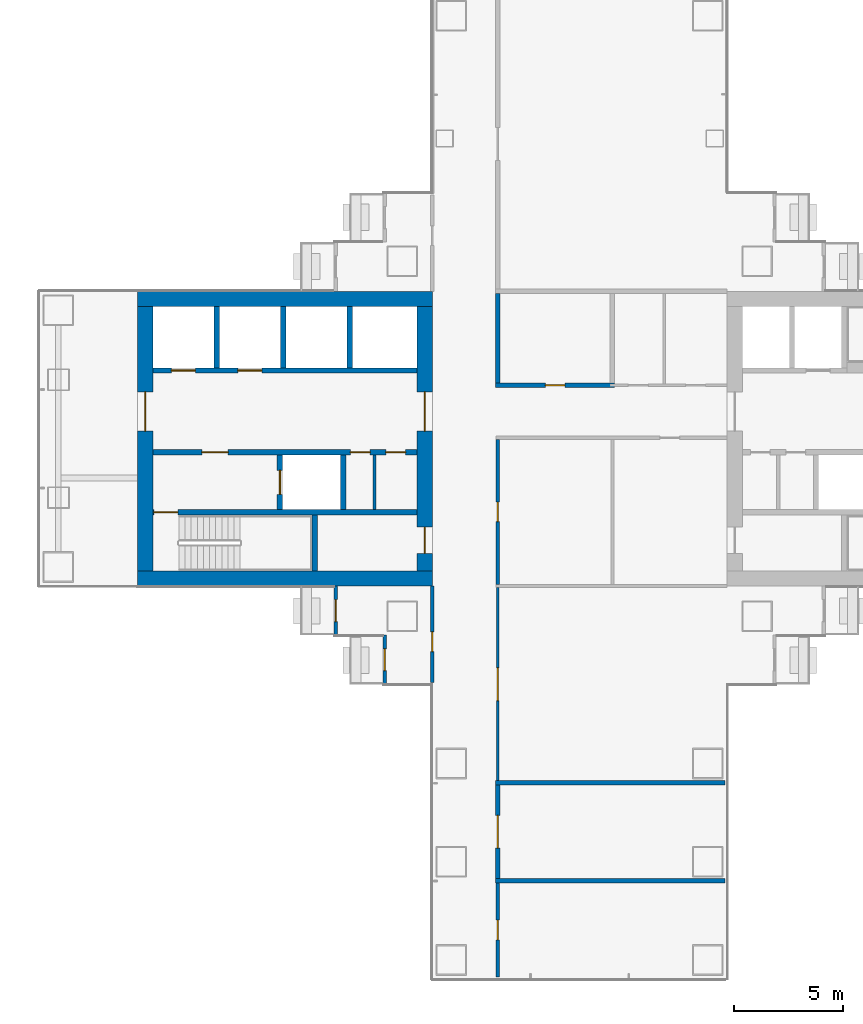
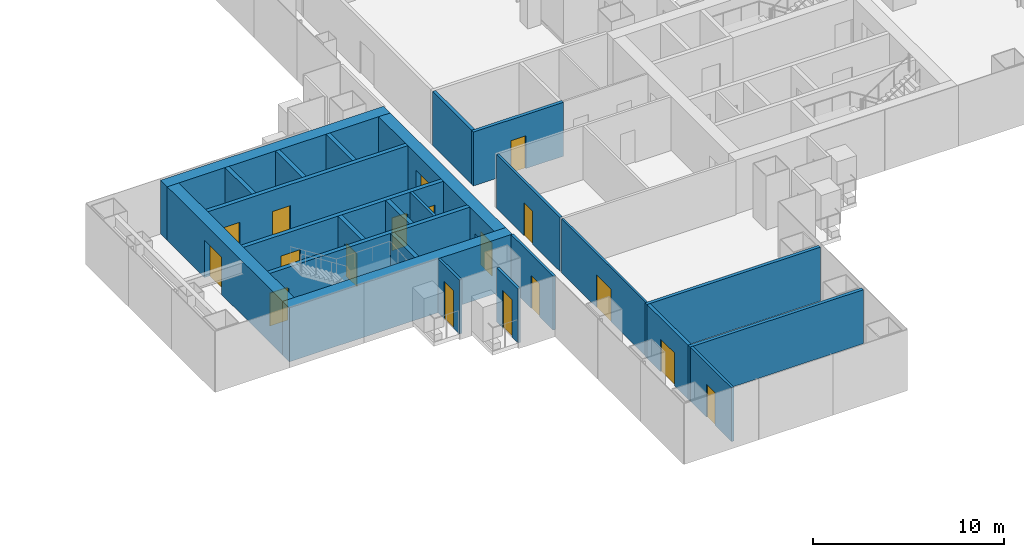
# One storey, part 16 of 22: 25 walls, 18 doors, 18 openings.
"""IFC4 building model written with IfcOpenShell, lengths in metres."""

from ifc_helpers import new_model, si_unit, direction, frame, frame_2d, origin, place, context, subcontext, project, spatial, rectangle, extrude, material, layer, layer_set, type_object, element, fill, save


model = new_model("IFC4")

# Units and contexts
model_context = context("Model", 3, precision=1e-05, world=origin(), true_north=direction((0.0, 1.0)))
body_context = subcontext(model_context, "Body", "Model", "MODEL_VIEW")
ifc_project = project(units=[si_unit("LENGTHUNIT", "METRE"), si_unit("AREAUNIT", "SQUARE_METRE"), si_unit("VOLUMEUNIT", "CUBIC_METRE"), si_unit("PLANEANGLEUNIT", "RADIAN"), si_unit("MASSUNIT", "GRAM", prefix="KILO")], contexts=[model_context])

# Site, building, storey
site_placement = place(None, origin())
site = spatial("IfcSite", under=ifc_project, at=site_placement, CompositionType="ELEMENT")
building_placement = place(site_placement, origin())
building = spatial("IfcBuilding", under=site, at=building_placement, Name="Shamsa Quay Exchange Towers", CompositionType="ELEMENT")
storey_placement = place(building_placement, frame((0.0, 0.0, 73.199951171875)))
storey = spatial("IfcBuildingStorey", under=building, at=storey_placement, Name="L16", CompositionType="ELEMENT", Elevation=73.199951171875)

# Wall, opening, door
ifc_material_1 = material(Name="Aluminium EN AW-6063 T6, black anodised, with black enamelled glass infill", Category="aluminium")
ifc_layer_1 = layer(ifc_material_1, 0.14990234375)
ifc_layer_set_1 = layer_set([ifc_layer_1], Name="BALCONY DOOR BAY WALL 150")
wall_type_1 = type_object("IfcWallType", Name="BALCONY DOOR BAY WALL 150", PredefinedType="SOLIDWALL", material=ifc_layer_set_1)
wall_1_placement = place(storey_placement, frame((22.574951171875, -9.0, 0.0), z_axis=(0.0, 0.0, 1.0), x_axis=(0.0, 1.0, 0.0)))
wall_1 = element("IfcWall", 1, at=wall_1_placement, inside=storey, type_object=wall_type_1, Name="Door bay T2-PKWN L16", PredefinedType="SOLIDWALL", context=body_context, shape_type="SweptSolid", body=[
    extrude(rectangle(XDim=2.257080078125, YDim=0.14990234375, at=frame_2d((1.12841796875, 0.0))), origin(), (0.0, 0.0, 1.0), 3.449951171875),
])
opening_1_placement = place(wall_1_placement, frame((0.625, 0.0, 0.0)))
opening_1 = element("IfcOpeningElement", 2, at=opening_1_placement, cuts=wall_1, Name="Opening XD101", PredefinedType="OPENING", context=body_context, shape_type="SweptSolid", body=[
    extrude(rectangle(XDim=1.0, YDim=2.39990234375, at=frame_2d((0.5, 1.199951171875))), frame((0.0, 0.0849609375, 0.0), z_axis=(0.0, -1.0, 0.0), x_axis=(1.0, 0.0, 0.0)), (0.0, 0.0, 1.0), 0.169921875),
])
ifc_material_2 = material(Name="Aluminium EN AW-6063 T6, black anodised, with laminated glass leaf", Category="aluminium")
door_type_1 = type_object("IfcDoorType", Name="BALCONY DOOR 1000x2400", OperationType="SINGLE_SWING_LEFT", PredefinedType="DOOR", material=ifc_material_2)
door_1_placement = place(opening_1_placement, origin())
door_1 = element("IfcDoor", 3, at=door_1_placement, inside=storey, type_object=door_type_1, Name="Balcony door T2-PKWN L16", OperationType="SINGLE_SWING_LEFT", OverallHeight=2.39990234375, OverallWidth=1.0, PredefinedType="DOOR", context=body_context, shape_type="SweptSolid", body=[
    extrude(rectangle(XDim=1.0, YDim=2.39990234375, at=frame_2d((0.5, 1.199951171875))), frame((0.0, 0.02490234375, 0.0), z_axis=(0.0, -1.0, 0.0), x_axis=(1.0, 0.0, 0.0)), (0.0, 0.0, 1.0), 0.050048828125),
])
fill(opening_1, door_1)

wall_2_placement = place(storey_placement, frame((24.824951171875, -11.25, 0.0), z_axis=(0.0, 0.0, 1.0), x_axis=(0.0, 1.0, 0.0)))
wall_2 = element("IfcWall", 4, at=wall_2_placement, inside=storey, type_object=wall_type_1, Name="Door bay T2-PKWN L16", PredefinedType="SOLIDWALL", context=body_context, shape_type="SweptSolid", body=[
    extrude(rectangle(XDim=2.25, YDim=0.14990234375, at=frame_2d((1.125, 0.0))), origin(), (0.0, 0.0, 1.0), 3.449951171875),
])
opening_2_placement = place(wall_2_placement, frame((0.625, 0.0, 0.0)))
opening_2 = element("IfcOpeningElement", 5, at=opening_2_placement, cuts=wall_2, Name="Opening XD102", PredefinedType="OPENING", context=body_context, shape_type="SweptSolid", body=[
    extrude(rectangle(XDim=1.0, YDim=2.39990234375, at=frame_2d((0.5, 1.199951171875))), frame((0.0, 0.0849609375, 0.0), z_axis=(0.0, -1.0, 0.0), x_axis=(1.0, 0.0, 0.0)), (0.0, 0.0, 1.0), 0.169921875),
])
door_2_placement = place(opening_2_placement, origin())
door_2 = element("IfcDoor", 6, at=door_2_placement, inside=storey, type_object=door_type_1, Name="Balcony door T2-PKWN L16", OperationType="SINGLE_SWING_RIGHT", OverallHeight=2.39990234375, OverallWidth=1.0, PredefinedType="DOOR", context=body_context, shape_type="SweptSolid", body=[
    extrude(rectangle(XDim=1.0, YDim=2.39990234375, at=frame_2d((0.5, 1.199951171875))), frame((0.0, 0.02490234375, 0.0), z_axis=(0.0, -1.0, 0.0), x_axis=(1.0, 0.0, 0.0)), (0.0, 0.0, 1.0), 0.050048828125),
])
fill(opening_2, door_2)

# Walls
ifc_material_3 = material(Name="Concrete C80/95", Category="concrete")
ifc_layer_2 = layer(ifc_material_3, 0.699951171875)
ifc_layer_set_2 = layer_set([ifc_layer_2], Name="CORE WALL 700 C80/95")
wall_type_2 = type_object("IfcWallType", Name="CORE WALL 700 C80/95", PredefinedType="SHEAR", material=ifc_layer_set_2)
for number, where, name in (
    (7, (13.5, -6.39990234375, 0.0), "Core wall T2A-R07-PS"),
    (8, (13.5, 6.39990234375, 0.0), "Core wall T2A-R07-PN"),
):
    element("IfcWall", number, at=place(storey_placement, frame(where)), inside=storey, type_object=wall_type_2, Name=name, PredefinedType="SHEAR", context=body_context, shape_type="SweptSolid", body=[
        extrude(rectangle(XDim=13.5, YDim=0.699951171875, at=frame_2d((6.75, 0.0))), origin(), (0.0, 0.0, 1.0), 3.449951171875),
    ])

# Wall, opening, door
wall_3_placement = place(storey_placement, frame((13.85009765625, 6.050048828125, 0.0), z_axis=(0.0, 0.0, 1.0), x_axis=(0.0, -1.0, 0.0)))
wall_3 = element("IfcWall", 9, at=wall_3_placement, inside=storey, type_object=wall_type_2, Name="Core wall T2A-R07-PF", PredefinedType="SHEAR", context=body_context, shape_type="SweptSolid", body=[
    extrude(rectangle(XDim=12.10009765625, YDim=0.699951171875, at=frame_2d((6.050048828125, 0.0))), origin(), (0.0, 0.0, 1.0), 3.449951171875),
])
opening_3_placement = place(wall_3_placement, frame((3.89990234375, 0.0, 0.0)))
opening_3 = element("IfcOpeningElement", 10, at=opening_3_placement, cuts=wall_3, Name="Opening T2A-R07-LBD01", PredefinedType="OPENING", context=body_context, shape_type="SweptSolid", body=[
    extrude(rectangle(XDim=1.800048828125, YDim=2.39990234375, at=frame_2d((0.89990234375, 1.199951171875))), frame((0.0, 0.35986328125, 0.0), z_axis=(0.0, -1.0, 0.0), x_axis=(1.0, 0.0, 0.0)), (0.0, 0.0, 1.0), 0.719970703125),
])
ifc_material_4 = material(Name="Steel, fire rated", Category="steel")
door_type_2 = type_object("IfcDoorType", Name="LIFT LOBBY DOOR PAIR 1800", OperationType="DOUBLE_DOOR_SINGLE_SWING", PredefinedType="DOOR", material=ifc_material_4)
door_3_placement = place(opening_3_placement, origin())
door_3 = element("IfcDoor", 11, at=door_3_placement, inside=storey, type_object=door_type_2, Name="T2A-R07-LBD01", OperationType="DOUBLE_DOOR_SINGLE_SWING", OverallHeight=2.39990234375, OverallWidth=1.800048828125, PredefinedType="DOOR", context=body_context, shape_type="SweptSolid", body=[
    extrude(rectangle(XDim=1.800048828125, YDim=2.39990234375, at=frame_2d((0.89990234375, 1.199951171875))), frame((0.0, 0.02490234375, 0.0), z_axis=(0.0, -1.0, 0.0), x_axis=(1.0, 0.0, 0.0)), (0.0, 0.0, 1.0), 0.050048828125),
])
fill(opening_3, door_3)

# Wall, openings, doors
wall_4_placement = place(storey_placement, frame((26.64990234375, 6.050048828125, 0.0), z_axis=(0.0, 0.0, 1.0), x_axis=(0.0, -1.0, 0.0)))
wall_4 = element("IfcWall", 12, at=wall_4_placement, inside=storey, type_object=wall_type_2, Name="Core wall T2A-R07-PB", PredefinedType="SHEAR", context=body_context, shape_type="SweptSolid", body=[
    extrude(rectangle(XDim=12.10009765625, YDim=0.699951171875, at=frame_2d((6.050048828125, 0.0))), origin(), (0.0, 0.0, 1.0), 3.449951171875),
])
opening_4_placement = place(wall_4_placement, frame((10.10009765625, 0.0, 0.0)))
opening_4 = element("IfcOpeningElement", 13, at=opening_4_placement, cuts=wall_4, Name="Opening T2A-R07-RD02", PredefinedType="OPENING", context=body_context, shape_type="SweptSolid", body=[
    extrude(rectangle(XDim=1.199951171875, YDim=2.10009765625, at=frame_2d((0.60009765625, 1.050048828125))), frame((0.0, 0.35986328125, 0.0), z_axis=(0.0, -1.0, 0.0), x_axis=(1.0, 0.0, 0.0)), (0.0, 0.0, 1.0), 0.719970703125),
])
opening_5_placement = place(wall_4_placement, frame((3.89990234375, 0.0, 0.0)))
opening_5 = element("IfcOpeningElement", 14, at=opening_5_placement, cuts=wall_4, Name="Opening T2A-R07-LBD03", PredefinedType="OPENING", context=body_context, shape_type="SweptSolid", body=[
    extrude(rectangle(XDim=1.800048828125, YDim=2.39990234375, at=frame_2d((0.89990234375, 1.199951171875))), frame((0.0, 0.35986328125, 0.0), z_axis=(0.0, -1.0, 0.0), x_axis=(1.0, 0.0, 0.0)), (0.0, 0.0, 1.0), 0.719970703125),
])
door_4_placement = place(opening_5_placement, origin())
door_4 = element("IfcDoor", 15, at=door_4_placement, inside=storey, type_object=door_type_2, Name="T2A-R07-LBD03", OperationType="DOUBLE_DOOR_SINGLE_SWING", OverallHeight=2.39990234375, OverallWidth=1.800048828125, PredefinedType="DOOR", context=body_context, shape_type="SweptSolid", body=[
    extrude(rectangle(XDim=1.800048828125, YDim=2.39990234375, at=frame_2d((0.89990234375, 1.199951171875))), frame((0.0, 0.02490234375, 0.0), z_axis=(0.0, -1.0, 0.0), x_axis=(1.0, 0.0, 0.0)), (0.0, 0.0, 1.0), 0.050048828125),
])
fill(opening_5, door_4)
door_type_3 = type_object("IfcDoorType", Name="RISER ACCESS DOOR 1200", OperationType="SINGLE_SWING_LEFT", PredefinedType="DOOR", material=ifc_material_4)
door_5_placement = place(opening_4_placement, origin())
door_5 = element("IfcDoor", 16, at=door_5_placement, inside=storey, type_object=door_type_3, Name="T2A-R07-RD02", OperationType="SINGLE_SWING_RIGHT", OverallHeight=2.10009765625, OverallWidth=1.199951171875, PredefinedType="DOOR", context=body_context, shape_type="SweptSolid", body=[
    extrude(rectangle(XDim=1.199951171875, YDim=2.10009765625, at=frame_2d((0.60009765625, 1.050048828125))), frame((0.0, 0.02490234375, 0.0), z_axis=(0.0, -1.0, 0.0), x_axis=(1.0, 0.0, 0.0)), (0.0, 0.0, 1.0), 0.050048828125),
])
fill(opening_4, door_5)

# Wall
ifc_material_5 = material(Name="Gypsum board on steel studs, EI 60", Category="steel")
ifc_layer_3 = layer(ifc_material_5, 0.14990234375)
ifc_layer_set_3 = layer_set([ifc_layer_3], Name="FIRE PARTITION 150")
wall_type_3 = type_object("IfcWallType", Name="FIRE PARTITION 150", PredefinedType="PARTITIONING", material=ifc_layer_set_3)
wall_5_placement = place(storey_placement, frame((24.35009765625, -3.25, 0.0), z_axis=(0.0, 0.0, 1.0), x_axis=(0.0, 1.0, 0.0)))
element("IfcWall", 17, at=wall_5_placement, inside=storey, type_object=wall_type_3, Name="Partition T2A-R07-EC0", PredefinedType="PARTITIONING", context=body_context, shape_type="SweptSolid", body=[
    extrude(rectangle(XDim=2.5, YDim=0.14990234375, at=frame_2d((1.25, 0.0))), origin(), (0.0, 0.0, 1.0), 3.449951171875),
])

# Wall, opening, door
ifc_material_6 = material(Name="Laminated fire-resisting glass in a metal frame", Category="glass")
ifc_layer_4 = layer(ifc_material_6, 0.125)
ifc_layer_set_4 = layer_set([ifc_layer_4], Name="Glazed partition 125 mm EI 60")
wall_type_4 = type_object("IfcWallType", Name="Glazed partition 125 mm EI 60", PredefinedType="PARTITIONING", material=ifc_layer_set_4)
wall_6_placement = place(storey_placement, frame((30.0, -6.824951171875, 0.0), z_axis=(0.0, 0.0, 1.0), x_axis=(0.0, -1.0, 0.0)))
wall_6 = element("IfcWall", 18, at=wall_6_placement, inside=storey, type_object=wall_type_4, Name="Partition T2-R07-W09", PredefinedType="PARTITIONING", context=body_context, shape_type="SweptSolid", body=[
    extrude(rectangle(XDim=8.824951171875, YDim=0.125, at=frame_2d((4.41259765625, 0.0))), origin(), (0.0, 0.0, 1.0), 3.449951171875),
])
opening_6_placement = place(wall_6_placement, frame((3.675048828125, 0.0, 0.0)))
opening_6 = element("IfcOpeningElement", 19, at=opening_6_placement, cuts=wall_6, Name="Opening T2-R07-D06", PredefinedType="OPENING", context=body_context, shape_type="SweptSolid", body=[
    extrude(rectangle(XDim=1.5, YDim=2.10009765625, at=frame_2d((0.75, 1.050048828125))), frame((0.0, 0.072509765625, 0.0), z_axis=(0.0, -1.0, 0.0), x_axis=(1.0, 0.0, 0.0)), (0.0, 0.0, 1.0), 0.14501953125),
])
ifc_material_7 = material(Name="Timber door leaf in a metal frame", Category="wood")
door_type_4 = type_object("IfcDoorType", Name="Door 1500x2100 FD30S pair", OperationType="NOTDEFINED", PredefinedType="DOOR", material=ifc_material_7)
door_6_placement = place(opening_6_placement, origin())
door_6 = element("IfcDoor", 20, at=door_6_placement, inside=storey, type_object=door_type_4, Name="Door T2-R07-D06", OperationType="DOUBLE_DOOR_SINGLE_SWING", OverallHeight=2.10009765625, OverallWidth=1.5, PredefinedType="DOOR", context=body_context, shape_type="SweptSolid", body=[
    extrude(rectangle(XDim=1.5, YDim=2.10009765625, at=frame_2d((0.75, 1.050048828125))), frame((0.0, 0.02490234375, 0.0), z_axis=(0.0, -1.0, 0.0), x_axis=(1.0, 0.0, 0.0)), (0.0, 0.0, 1.0), 0.050048828125),
])
fill(opening_6, door_6)

ifc_material_8 = material(Name="Gypsum board partition on metal studs")
ifc_layer_5 = layer(ifc_material_8, 0.14990234375)
ifc_layer_set_5 = layer_set([ifc_layer_5], Name="Partition 150 mm EI 60")
wall_type_5 = type_object("IfcWallType", Name="Partition 150 mm EI 60", PredefinedType="PARTITIONING", material=ifc_layer_set_5)
wall_7_placement = place(storey_placement, frame((30.0, -20.35009765625, 0.0), z_axis=(0.0, 0.0, 1.0), x_axis=(0.0, -1.0, 0.0)))
wall_7 = element("IfcWall", 21, at=wall_7_placement, inside=storey, type_object=wall_type_5, Name="Partition T2-R07-W03", PredefinedType="PARTITIONING", context=body_context, shape_type="SweptSolid", body=[
    extrude(rectangle(XDim=4.304931640625, YDim=0.14990234375, at=frame_2d((2.15234375, 0.0))), origin(), (0.0, 0.0, 1.0), 3.449951171875),
])
opening_7_placement = place(wall_7_placement, frame((1.699951171875, 0.0, 0.0)))
opening_7 = element("IfcOpeningElement", 22, at=opening_7_placement, cuts=wall_7, Name="Opening T2-R07-D04", PredefinedType="OPENING", context=body_context, shape_type="SweptSolid", body=[
    extrude(rectangle(XDim=0.89990234375, YDim=2.10009765625, at=frame_2d((0.449951171875, 1.050048828125))), frame((0.0, 0.0849609375, 0.0), z_axis=(0.0, -1.0, 0.0), x_axis=(1.0, 0.0, 0.0)), (0.0, 0.0, 1.0), 0.169921875),
])
door_type_5 = type_object("IfcDoorType", Name="Door 900x2100 FD30S", OperationType="NOTDEFINED", PredefinedType="DOOR", material=ifc_material_7)
door_7_placement = place(opening_7_placement, origin())
door_7 = element("IfcDoor", 23, at=door_7_placement, inside=storey, type_object=door_type_5, Name="Door T2-R07-D04", OperationType="SINGLE_SWING_RIGHT", OverallHeight=2.10009765625, OverallWidth=0.89990234375, PredefinedType="DOOR", context=body_context, shape_type="SweptSolid", body=[
    extrude(rectangle(XDim=0.89990234375, YDim=2.10009765625, at=frame_2d((0.449951171875, 1.050048828125))), frame((0.0, 0.02490234375, 0.0), z_axis=(0.0, -1.0, 0.0), x_axis=(1.0, 0.0, 0.0)), (0.0, 0.0, 1.0), 0.050048828125),
])
fill(opening_7, door_7)

wall_8_placement = place(storey_placement, frame((30.0, -0.025146484375, 0.0), z_axis=(0.0, 0.0, 1.0), x_axis=(0.0, -1.0, 0.0)))
wall_8 = element("IfcWall", 24, at=wall_8_placement, inside=storey, type_object=wall_type_5, Name="Partition T2-R07-W04", PredefinedType="PARTITIONING", context=body_context, shape_type="SweptSolid", body=[
    extrude(rectangle(XDim=6.64990234375, YDim=0.14990234375, at=frame_2d((3.324951171875, 0.0))), origin(), (0.0, 0.0, 1.0), 3.449951171875),
])
opening_8_placement = place(wall_8_placement, frame((2.875, 0.0, 0.0)))
opening_8 = element("IfcOpeningElement", 25, at=opening_8_placement, cuts=wall_8, Name="Opening T2-R07-D07", PredefinedType="OPENING", context=body_context, shape_type="SweptSolid", body=[
    extrude(rectangle(XDim=0.89990234375, YDim=2.10009765625, at=frame_2d((0.449951171875, 1.050048828125))), frame((0.0, 0.0849609375, 0.0), z_axis=(0.0, -1.0, 0.0), x_axis=(1.0, 0.0, 0.0)), (0.0, 0.0, 1.0), 0.169921875),
])
door_8_placement = place(opening_8_placement, origin())
door_8 = element("IfcDoor", 26, at=door_8_placement, inside=storey, type_object=door_type_5, Name="Door T2-R07-D07", OperationType="SINGLE_SWING_LEFT", OverallHeight=2.10009765625, OverallWidth=0.89990234375, PredefinedType="DOOR", context=body_context, shape_type="SweptSolid", body=[
    extrude(rectangle(XDim=0.89990234375, YDim=2.10009765625, at=frame_2d((0.449951171875, 1.050048828125))), frame((0.0, 0.02490234375, 0.0), z_axis=(0.0, -1.0, 0.0), x_axis=(1.0, 0.0, 0.0)), (0.0, 0.0, 1.0), 0.050048828125),
])
fill(opening_8, door_8)

wall_9_placement = place(storey_placement, frame((27.0, -11.155029296875, 0.0), z_axis=(0.0, 0.0, 1.0), x_axis=(0.0, 1.0, 0.0)))
wall_9 = element("IfcWall", 27, at=wall_9_placement, inside=storey, type_object=wall_type_5, Name="Partition T2-R07-W12", PredefinedType="PARTITIONING", context=body_context, shape_type="SweptSolid", body=[
    extrude(rectangle(XDim=4.405029296875, YDim=0.14990234375, at=frame_2d((2.20263671875, 0.0))), origin(), (0.0, 0.0, 1.0), 3.449951171875),
])
opening_9_placement = place(wall_9_placement, frame((1.405029296875, 0.0, 0.0)))
opening_9 = element("IfcOpeningElement", 28, at=opening_9_placement, cuts=wall_9, Name="Opening T2-R07-D11", PredefinedType="OPENING", context=body_context, shape_type="SweptSolid", body=[
    extrude(rectangle(XDim=0.89990234375, YDim=2.10009765625, at=frame_2d((0.449951171875, 1.050048828125))), frame((0.0, 0.0849609375, 0.0), z_axis=(0.0, -1.0, 0.0), x_axis=(1.0, 0.0, 0.0)), (0.0, 0.0, 1.0), 0.169921875),
])
door_9_placement = place(opening_9_placement, origin())
door_9 = element("IfcDoor", 29, at=door_9_placement, inside=storey, type_object=door_type_5, Name="Door T2-R07-D11", OperationType="SINGLE_SWING_LEFT", OverallHeight=2.10009765625, OverallWidth=0.89990234375, PredefinedType="DOOR", context=body_context, shape_type="SweptSolid", body=[
    extrude(rectangle(XDim=0.89990234375, YDim=2.10009765625, at=frame_2d((0.449951171875, 1.050048828125))), frame((0.0, 0.02490234375, 0.0), z_axis=(0.0, -1.0, 0.0), x_axis=(1.0, 0.0, 0.0)), (0.0, 0.0, 1.0), 0.050048828125),
])
fill(opening_9, door_9)

ifc_layer_6 = layer(ifc_material_8, 0.199951171875)
ifc_layer_set_6 = layer_set([ifc_layer_6], Name="Partition 200 mm EI 120")
wall_type_6 = type_object("IfcWallType", Name="Partition 200 mm EI 120", PredefinedType="PARTITIONING", material=ifc_layer_set_6)
wall_10_placement = place(storey_placement, frame((29.89990234375, 2.4501953125, 0.0)))
wall_10 = element("IfcWall", 30, at=wall_10_placement, inside=storey, type_object=wall_type_6, Name="Partition T2-R07-W07", PredefinedType="PARTITIONING", context=body_context, shape_type="SweptSolid", body=[
    extrude(rectangle(XDim=5.4501953125, YDim=0.199951171875, at=frame_2d((2.72509765625, 0.0))), origin(), (0.0, 0.0, 1.0), 3.449951171875),
])
opening_10_placement = place(wall_10_placement, frame((2.27490234375, 0.0, 0.0)))
opening_10 = element("IfcOpeningElement", 31, at=opening_10_placement, cuts=wall_10, Name="Opening T2-R07-D03", PredefinedType="OPENING", context=body_context, shape_type="SweptSolid", body=[
    extrude(rectangle(XDim=0.89990234375, YDim=2.10009765625, at=frame_2d((0.449951171875, 1.050048828125))), frame((0.0, 0.10986328125, 0.0), z_axis=(0.0, -1.0, 0.0), x_axis=(1.0, 0.0, 0.0)), (0.0, 0.0, 1.0), 0.219970703125),
])
door_type_6 = type_object("IfcDoorType", Name="Door 900x2100 FD60", OperationType="NOTDEFINED", PredefinedType="DOOR", material=ifc_material_7)
door_10_placement = place(opening_10_placement, origin())
door_10 = element("IfcDoor", 32, at=door_10_placement, inside=storey, type_object=door_type_6, Name="Door T2-R07-D03", OperationType="SINGLE_SWING_LEFT", OverallHeight=2.10009765625, OverallWidth=0.89990234375, PredefinedType="DOOR", context=body_context, shape_type="SweptSolid", body=[
    extrude(rectangle(XDim=0.89990234375, YDim=2.10009765625, at=frame_2d((0.449951171875, 1.050048828125))), frame((0.0, 0.02490234375, 0.0), z_axis=(0.0, -1.0, 0.0), x_axis=(1.0, 0.0, 0.0)), (0.0, 0.0, 1.0), 0.050048828125),
])
fill(opening_10, door_10)

# Wall
wall_11_placement = place(storey_placement, frame((30.0, 6.64990234375, 0.0), z_axis=(0.0, 0.0, 1.0), x_axis=(0.0, -1.0, 0.0)))
element("IfcWall", 33, at=wall_11_placement, inside=storey, type_object=wall_type_6, Name="Partition T2-R07-W08", PredefinedType="PARTITIONING", context=body_context, shape_type="SweptSolid", body=[
    extrude(rectangle(XDim=4.099609375, YDim=0.199951171875, at=frame_2d((2.0498046875, 0.0))), origin(), (0.0, 0.0, 1.0), 3.449951171875),
])

# Wall, opening, door
ifc_layer_7 = layer(ifc_material_8, 0.199951171875)
ifc_layer_set_7 = layer_set([ifc_layer_7], Name="Partition 200 mm EI 90")
wall_type_7 = type_object("IfcWallType", Name="Partition 200 mm EI 90", PredefinedType="PARTITIONING", material=ifc_layer_set_7)
wall_12_placement = place(storey_placement, frame((30.0, -15.85009765625, 0.0), z_axis=(0.0, 0.0, 1.0), x_axis=(0.0, -1.0, 0.0)))
wall_12 = element("IfcWall", 34, at=wall_12_placement, inside=storey, type_object=wall_type_7, Name="Partition T2-R07-W01", PredefinedType="PARTITIONING", context=body_context, shape_type="SweptSolid", body=[
    extrude(rectangle(XDim=4.2998046875, YDim=0.199951171875, at=frame_2d((2.14990234375, 0.0))), origin(), (0.0, 0.0, 1.0), 3.449951171875),
])
opening_11_placement = place(wall_12_placement, frame((1.39990234375, 0.0, 0.0)))
opening_11 = element("IfcOpeningElement", 35, at=opening_11_placement, cuts=wall_12, Name="Opening T2-R07-D05", PredefinedType="OPENING", context=body_context, shape_type="SweptSolid", body=[
    extrude(rectangle(XDim=1.5, YDim=2.10009765625, at=frame_2d((0.75, 1.050048828125))), frame((0.0, 0.10986328125, 0.0), z_axis=(0.0, -1.0, 0.0), x_axis=(1.0, 0.0, 0.0)), (0.0, 0.0, 1.0), 0.219970703125),
])
door_11_placement = place(opening_11_placement, origin())
door_11 = element("IfcDoor", 36, at=door_11_placement, inside=storey, type_object=door_type_4, Name="Door T2-R07-D05", OperationType="DOUBLE_DOOR_SINGLE_SWING", OverallHeight=2.10009765625, OverallWidth=1.5, PredefinedType="DOOR", context=body_context, shape_type="SweptSolid", body=[
    extrude(rectangle(XDim=1.5, YDim=2.10009765625, at=frame_2d((0.75, 1.050048828125))), frame((0.0, 0.02490234375, 0.0), z_axis=(0.0, -1.0, 0.0), x_axis=(1.0, 0.0, 0.0)), (0.0, 0.0, 1.0), 0.050048828125),
])
fill(opening_11, door_11)

# Walls
for number, where, name in (
    (37, (29.89990234375, -15.75, 0.0), "Partition T2-R07-W17"),
    (38, (29.89990234375, -20.25, 0.0), "Partition T2-R07-W19"),
):
    element("IfcWall", number, at=place(storey_placement, frame(where)), inside=storey, type_object=wall_type_7, Name=name, PredefinedType="PARTITIONING", context=body_context, shape_type="SweptSolid", body=[
        extrude(rectangle(XDim=10.505126953125, YDim=0.199951171875, at=frame_2d((5.25244140625, 0.0))), origin(), (0.0, 0.0, 1.0), 3.449951171875),
    ])

# Wall, opening, door
ifc_material_9 = material(Name="Concrete C50/60", Category="concrete")
ifc_layer_8 = layer(ifc_material_9, 0.25)
ifc_layer_set_8 = layer_set([ifc_layer_8], Name="SHAFT WALL 250 C50/60")
wall_type_8 = type_object("IfcWallType", Name="SHAFT WALL 250 C50/60", PredefinedType="SHEAR", material=ifc_layer_set_8)
wall_13_placement = place(storey_placement, frame((26.300048828125, -3.375, 0.0), z_axis=(0.0, 0.0, 1.0), x_axis=(-1.0, 0.0, 0.0)))
wall_13 = element("IfcWall", 39, at=wall_13_placement, inside=storey, type_object=wall_type_8, Name="Shaft wall T2A-R07-STL", PredefinedType="SHEAR", context=body_context, shape_type="SweptSolid", body=[
    extrude(rectangle(XDim=12.10009765625, YDim=0.25, at=frame_2d((6.050048828125, 0.0))), origin(), (0.0, 0.0, 1.0), 3.449951171875),
])
opening_12_placement = place(wall_13_placement, frame((10.949951171875, 0.0, 0.0)))
opening_12 = element("IfcOpeningElement", 40, at=opening_12_placement, cuts=wall_13, Name="Opening T2A-R07-SD04", PredefinedType="OPENING", context=body_context, shape_type="SweptSolid", body=[
    extrude(rectangle(XDim=1.10009765625, YDim=2.10009765625, at=frame_2d((0.550048828125, 1.050048828125))), frame((0.0, 0.135009765625, 0.0), z_axis=(0.0, -1.0, 0.0), x_axis=(1.0, 0.0, 0.0)), (0.0, 0.0, 1.0), 0.27001953125),
])
door_type_7 = type_object("IfcDoorType", Name="STAIR DOOR 1100", OperationType="SINGLE_SWING_LEFT", PredefinedType="DOOR", material=ifc_material_4)
door_12_placement = place(opening_12_placement, origin())
door_12 = element("IfcDoor", 41, at=door_12_placement, inside=storey, type_object=door_type_7, Name="T2A-R07-SD04", OperationType="SINGLE_SWING_RIGHT", OverallHeight=2.10009765625, OverallWidth=1.10009765625, PredefinedType="DOOR", context=body_context, shape_type="SweptSolid", body=[
    extrude(rectangle(XDim=1.10009765625, YDim=2.10009765625, at=frame_2d((0.550048828125, 1.050048828125))), frame((0.0, 0.02490234375, 0.0), z_axis=(0.0, -1.0, 0.0), x_axis=(1.0, 0.0, 0.0)), (0.0, 0.0, 1.0), 0.050048828125),
])
fill(opening_12, door_12)

# Wall
wall_14_placement = place(storey_placement, frame((21.625, -6.050048828125, 0.0), z_axis=(0.0, 0.0, 1.0), x_axis=(0.0, 1.0, 0.0)))
element("IfcWall", 42, at=wall_14_placement, inside=storey, type_object=wall_type_8, Name="Shaft wall T2A-R07-STF", PredefinedType="SHEAR", context=body_context, shape_type="SweptSolid", body=[
    extrude(rectangle(XDim=2.550048828125, YDim=0.25, at=frame_2d((1.27490234375, 0.0))), origin(), (0.0, 0.0, 1.0), 3.449951171875),
])

# Wall, openings, doors
wall_15_placement = place(storey_placement, frame((26.300048828125, -0.625, 0.0), z_axis=(0.0, 0.0, 1.0), x_axis=(-1.0, 0.0, 0.0)))
wall_15 = element("IfcWall", 43, at=wall_15_placement, inside=storey, type_object=wall_type_8, Name="Shaft wall T2A-R07-B", PredefinedType="SHEAR", context=body_context, shape_type="SweptSolid", body=[
    extrude(rectangle(XDim=12.10009765625, YDim=0.25, at=frame_2d((6.050048828125, 0.0))), origin(), (0.0, 0.0, 1.0), 3.449951171875),
])
opening_13_placement = place(wall_15_placement, frame((8.64990234375, 0.0, 0.0)))
opening_13 = element("IfcOpeningElement", 44, at=opening_13_placement, cuts=wall_15, Name="Opening T2A-R07-FD05", PredefinedType="OPENING", context=body_context, shape_type="SweptSolid", body=[
    extrude(rectangle(XDim=1.199951171875, YDim=2.10009765625, at=frame_2d((0.60009765625, 1.050048828125))), frame((0.0, 0.135009765625, 0.0), z_axis=(0.0, -1.0, 0.0), x_axis=(1.0, 0.0, 0.0)), (0.0, 0.0, 1.0), 0.27001953125),
])
opening_14_placement = place(wall_15_placement, frame((2.14990234375, 0.0, 0.0)))
opening_14 = element("IfcOpeningElement", 45, at=opening_14_placement, cuts=wall_15, Name="Opening T2A-R07-SV06", PredefinedType="OPENING", context=body_context, shape_type="SweptSolid", body=[
    extrude(rectangle(XDim=0.89990234375, YDim=2.10009765625, at=frame_2d((0.449951171875, 1.050048828125))), frame((0.0, 0.135009765625, 0.0), z_axis=(0.0, -1.0, 0.0), x_axis=(1.0, 0.0, 0.0)), (0.0, 0.0, 1.0), 0.27001953125),
])
opening_15_placement = place(wall_15_placement, frame((0.52490234375, 0.0, 0.0)))
opening_15 = element("IfcOpeningElement", 46, at=opening_15_placement, cuts=wall_15, Name="Opening T2A-R07-SV07", PredefinedType="OPENING", context=body_context, shape_type="SweptSolid", body=[
    extrude(rectangle(XDim=0.89990234375, YDim=2.10009765625, at=frame_2d((0.449951171875, 1.050048828125))), frame((0.0, 0.135009765625, 0.0), z_axis=(0.0, -1.0, 0.0), x_axis=(1.0, 0.0, 0.0)), (0.0, 0.0, 1.0), 0.27001953125),
])
door_type_8 = type_object("IfcDoorType", Name="FIRE SERVICE LOBBY DOOR 1200", OperationType="SINGLE_SWING_LEFT", PredefinedType="DOOR", material=ifc_material_4)
door_13_placement = place(opening_13_placement, origin())
door_13 = element("IfcDoor", 47, at=door_13_placement, inside=storey, type_object=door_type_8, Name="T2A-R07-FD05", OperationType="SINGLE_SWING_RIGHT", OverallHeight=2.10009765625, OverallWidth=1.199951171875, PredefinedType="DOOR", context=body_context, shape_type="SweptSolid", body=[
    extrude(rectangle(XDim=1.199951171875, YDim=2.10009765625, at=frame_2d((0.60009765625, 1.050048828125))), frame((0.0, 0.02490234375, 0.0), z_axis=(0.0, -1.0, 0.0), x_axis=(1.0, 0.0, 0.0)), (0.0, 0.0, 1.0), 0.050048828125),
])
fill(opening_13, door_13)
door_type_9 = type_object("IfcDoorType", Name="SERVICE ROOM DOOR 900", OperationType="SINGLE_SWING_LEFT", PredefinedType="DOOR", material=ifc_material_4)
door_14_placement = place(opening_14_placement, origin())
door_14 = element("IfcDoor", 48, at=door_14_placement, inside=storey, type_object=door_type_9, Name="T2A-R07-SV06", OperationType="SINGLE_SWING_LEFT", OverallHeight=2.10009765625, OverallWidth=0.89990234375, PredefinedType="DOOR", context=body_context, shape_type="SweptSolid", body=[
    extrude(rectangle(XDim=0.89990234375, YDim=2.10009765625, at=frame_2d((0.449951171875, 1.050048828125))), frame((0.0, 0.02490234375, 0.0), z_axis=(0.0, -1.0, 0.0), x_axis=(1.0, 0.0, 0.0)), (0.0, 0.0, 1.0), 0.050048828125),
])
fill(opening_14, door_14)
door_15_placement = place(opening_15_placement, origin())
door_15 = element("IfcDoor", 49, at=door_15_placement, inside=storey, type_object=door_type_9, Name="T2A-R07-SV07", OperationType="SINGLE_SWING_LEFT", OverallHeight=2.10009765625, OverallWidth=0.89990234375, PredefinedType="DOOR", context=body_context, shape_type="SweptSolid", body=[
    extrude(rectangle(XDim=0.89990234375, YDim=2.10009765625, at=frame_2d((0.449951171875, 1.050048828125))), frame((0.0, 0.02490234375, 0.0), z_axis=(0.0, -1.0, 0.0), x_axis=(1.0, 0.0, 0.0)), (0.0, 0.0, 1.0), 0.050048828125),
])
fill(opening_15, door_15)

# Wall, opening, door
wall_16_placement = place(storey_placement, frame((20.02490234375, -3.25, 0.0), z_axis=(0.0, 0.0, 1.0), x_axis=(0.0, 1.0, 0.0)))
wall_16 = element("IfcWall", 50, at=wall_16_placement, inside=storey, type_object=wall_type_8, Name="Shaft wall T2A-R07-FFF", PredefinedType="SHEAR", context=body_context, shape_type="SweptSolid", body=[
    extrude(rectangle(XDim=2.5, YDim=0.25, at=frame_2d((1.25, 0.0))), origin(), (0.0, 0.0, 1.0), 3.449951171875),
])
opening_16_placement = place(wall_16_placement, frame((0.699951171875, 0.0, 0.0)))
opening_16 = element("IfcOpeningElement", 51, at=opening_16_placement, cuts=wall_16, Name="Opening T2A-R07-LDF08", PredefinedType="OPENING", context=body_context, shape_type="SweptSolid", body=[
    extrude(rectangle(XDim=1.10009765625, YDim=2.10009765625, at=frame_2d((0.550048828125, 1.050048828125))), frame((0.0, 0.135009765625, 0.0), z_axis=(0.0, -1.0, 0.0), x_axis=(1.0, 0.0, 0.0)), (0.0, 0.0, 1.0), 0.27001953125),
])
door_type_10 = type_object("IfcDoorType", Name="FIRE SERVICE LANDING DOOR 1100", OperationType="SLIDING_TO_LEFT", PredefinedType="DOOR", material=ifc_material_4)
door_16_placement = place(opening_16_placement, origin())
door_16 = element("IfcDoor", 52, at=door_16_placement, inside=storey, type_object=door_type_10, Name="T2A-R07-LDF08", OperationType="SLIDING_TO_LEFT", OverallHeight=2.10009765625, OverallWidth=1.10009765625, PredefinedType="DOOR", context=body_context, shape_type="SweptSolid", body=[
    extrude(rectangle(XDim=1.10009765625, YDim=2.10009765625, at=frame_2d((0.550048828125, 1.050048828125))), frame((0.0, 0.02490234375, 0.0), z_axis=(0.0, -1.0, 0.0), x_axis=(1.0, 0.0, 0.0)), (0.0, 0.0, 1.0), 0.050048828125),
])
fill(opening_16, door_16)

# Wall
wall_17_placement = place(storey_placement, frame((22.925048828125, -3.25, 0.0), z_axis=(0.0, 0.0, 1.0), x_axis=(0.0, 1.0, 0.0)))
element("IfcWall", 53, at=wall_17_placement, inside=storey, type_object=wall_type_8, Name="Shaft wall T2A-R07-FFB", PredefinedType="SHEAR", context=body_context, shape_type="SweptSolid", body=[
    extrude(rectangle(XDim=2.5, YDim=0.25, at=frame_2d((1.25, 0.0))), origin(), (0.0, 0.0, 1.0), 3.449951171875),
])

# Wall, openings, doors
wall_18_placement = place(storey_placement, frame((14.199951171875, 3.125, 0.0)))
wall_18 = element("IfcWall", 54, at=wall_18_placement, inside=storey, type_object=wall_type_8, Name="Shaft wall T2A-R07-N", PredefinedType="SHEAR", context=body_context, shape_type="SweptSolid", body=[
    extrude(rectangle(XDim=12.10009765625, YDim=0.25, at=frame_2d((6.050048828125, 0.0))), origin(), (0.0, 0.0, 1.0), 3.449951171875),
])
opening_17_placement = place(wall_18_placement, frame((0.85009765625, 0.0, 0.0)))
opening_17 = element("IfcOpeningElement", 55, at=opening_17_placement, cuts=wall_18, Name="Opening T2A-R07-LD09", PredefinedType="OPENING", context=body_context, shape_type="SweptSolid", body=[
    extrude(rectangle(XDim=1.10009765625, YDim=2.10009765625, at=frame_2d((0.550048828125, 1.050048828125))), frame((0.0, 0.135009765625, 0.0), z_axis=(0.0, -1.0, 0.0), x_axis=(1.0, 0.0, 0.0)), (0.0, 0.0, 1.0), 0.27001953125),
])
opening_18_placement = place(wall_18_placement, frame((3.89990234375, 0.0, 0.0)))
opening_18 = element("IfcOpeningElement", 56, at=opening_18_placement, cuts=wall_18, Name="Opening T2A-R07-LD10", PredefinedType="OPENING", context=body_context, shape_type="SweptSolid", body=[
    extrude(rectangle(XDim=1.10009765625, YDim=2.10009765625, at=frame_2d((0.550048828125, 1.050048828125))), frame((0.0, 0.135009765625, 0.0), z_axis=(0.0, -1.0, 0.0), x_axis=(1.0, 0.0, 0.0)), (0.0, 0.0, 1.0), 0.27001953125),
])
door_type_11 = type_object("IfcDoorType", Name="LANDING DOOR 1100", OperationType="SLIDING_TO_LEFT", PredefinedType="DOOR", material=ifc_material_4)
door_17_placement = place(opening_17_placement, origin())
door_17 = element("IfcDoor", 57, at=door_17_placement, inside=storey, type_object=door_type_11, Name="T2A-R07-LD09", OperationType="SLIDING_TO_LEFT", OverallHeight=2.10009765625, OverallWidth=1.10009765625, PredefinedType="DOOR", context=body_context, shape_type="SweptSolid", body=[
    extrude(rectangle(XDim=1.10009765625, YDim=2.10009765625, at=frame_2d((0.550048828125, 1.050048828125))), frame((0.0, 0.02490234375, 0.0), z_axis=(0.0, -1.0, 0.0), x_axis=(1.0, 0.0, 0.0)), (0.0, 0.0, 1.0), 0.050048828125),
])
fill(opening_17, door_17)
door_18_placement = place(opening_18_placement, origin())
door_18 = element("IfcDoor", 58, at=door_18_placement, inside=storey, type_object=door_type_11, Name="T2A-R07-LD10", OperationType="SLIDING_TO_LEFT", OverallHeight=2.10009765625, OverallWidth=1.10009765625, PredefinedType="DOOR", context=body_context, shape_type="SweptSolid", body=[
    extrude(rectangle(XDim=1.10009765625, YDim=2.10009765625, at=frame_2d((0.550048828125, 1.050048828125))), frame((0.0, 0.02490234375, 0.0), z_axis=(0.0, -1.0, 0.0), x_axis=(1.0, 0.0, 0.0)), (0.0, 0.0, 1.0), 0.050048828125),
])
fill(opening_18, door_18)

# Walls
for number, where, z_axis, x_axis, name in (
    (59, (17.125, 3.25, 0.0), (0.0, 0.0, 1.0), (0.0, 1.0, 0.0), "Shaft wall T2A-R07-D0"),
    (60, (20.175048828125, 3.25, 0.0), (0.0, 0.0, 1.0), (0.0, 1.0, 0.0), "Shaft wall T2A-R07-D1"),
    (61, (23.22509765625, 3.25, 0.0), (0.0, 0.0, 1.0), (0.0, 1.0, 0.0), "Shaft wall T2A-R07-D2"),
):
    element("IfcWall", number, at=place(storey_placement, frame(where, z_axis=z_axis, x_axis=x_axis)), inside=storey, type_object=wall_type_8, Name=name, PredefinedType="SHEAR", context=body_context, shape_type="SweptSolid", body=[
        extrude(rectangle(XDim=2.800048828125, YDim=0.25, at=frame_2d((1.39990234375, 0.0))), origin(), (0.0, 0.0, 1.0), 3.449951171875),
    ])

save(model, "model.ifc")
